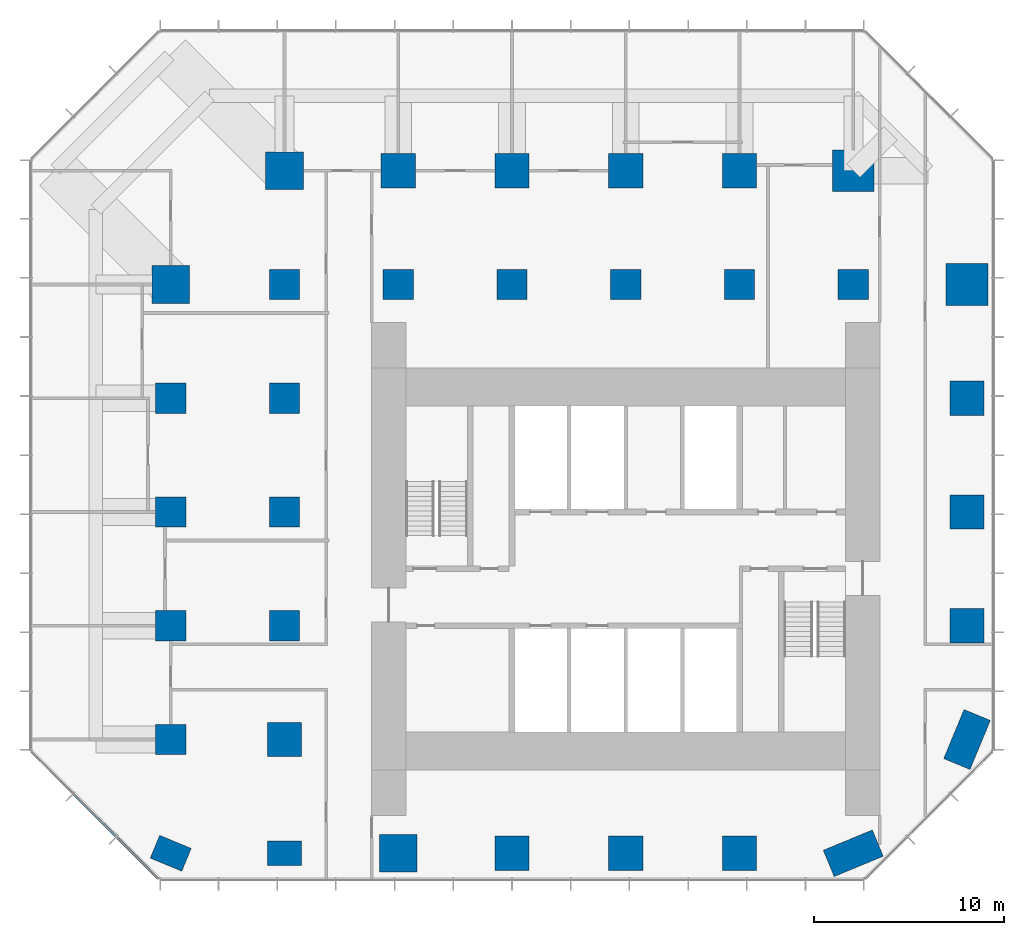
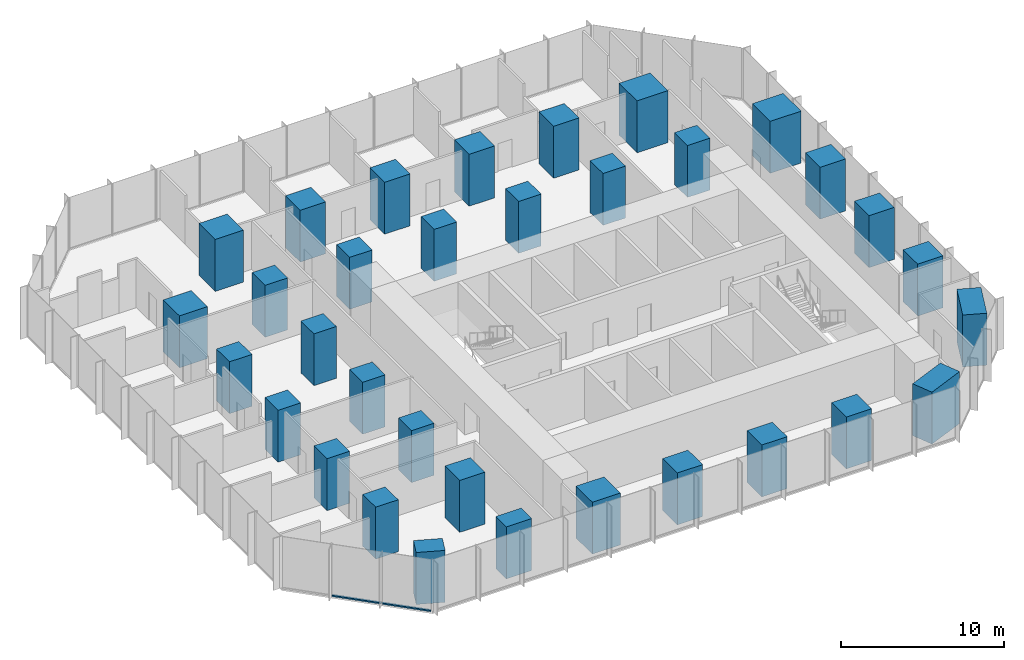
# One storey, part 1 of 11: 33 columns, 2 members, 1 element without a shape of its own.
"""IFC4 building model written with IfcOpenShell, lengths in metres."""

from ifc_helpers import new_model, si_unit, direction, frame, origin, origin_2d, place, context, subcontext, project, spatial, rectangle, extrude, material, layer, layer_set, material_profile, profile_set, type_object, element, aggregate, save


model = new_model("IFC4")

# Units and contexts
model_context = context("Model", 3, precision=1e-05, world=origin(), true_north=direction((0.0, 1.0)))
body_context = subcontext(model_context, "Body", "Model", "MODEL_VIEW")
ifc_project = project(units=[si_unit("LENGTHUNIT", "METRE"), si_unit("AREAUNIT", "SQUARE_METRE"), si_unit("VOLUMEUNIT", "CUBIC_METRE"), si_unit("PLANEANGLEUNIT", "RADIAN"), si_unit("MASSUNIT", "GRAM", prefix="KILO")], contexts=[model_context])

# Site, building, storey
site_placement = place(None, origin())
site = spatial("IfcSite", under=ifc_project, at=site_placement, CompositionType="ELEMENT")
building_placement = place(site_placement, origin())
building = spatial("IfcBuilding", under=site, at=building_placement, Name="Highveld Stack Headquarters", CompositionType="ELEMENT")
storey_placement = place(building_placement, frame((0.0, 0.0, 97.699951171875)))
storey = spatial("IfcBuildingStorey", under=building, at=storey_placement, Name="L23", CompositionType="ELEMENT", Elevation=97.699951171875)

# Columns
ifc_material_1 = material(Name="Concrete C60/75", Category="concrete")
ifc_material_profile_1 = material_profile(ifc_material_1, rectangle(XDim=1.60009765625, YDim=1.60009765625, at=origin_2d()), Name="RC 1600x1600")
ifc_profile_set_1 = profile_set([ifc_material_profile_1], Name="Concrete C60/75")
column_type_1 = type_object("IfcColumnType", Name="COLUMN RC 1600x1600 C60/75", PredefinedType="COLUMN", material=ifc_profile_set_1)
for number, where, z_axis, x_axis, name in (
    (1, (-18.0, -6.0, 0.0), (0.0, 0.0, 1.0), (1.0, 0.0, 0.0), "Column 3/D L23"),
    (2, (-18.0, 0.0, 0.0), (0.0, 0.0, 1.0), (1.0, 0.0, 0.0), "Column 3/E L23"),
    (3, (-18.0, 6.0, 0.0), (0.0, 0.0, 1.0), (1.0, 0.0, 0.0), "Column 3/F L23"),
    (4, (-18.0, 12.0, 0.0), (0.0, 0.0, 1.0), (1.0, 0.0, 0.0), "Column 3/G L23"),
    (5, (-12.0, 0.0, 0.0), (0.0, 0.0, 1.0), (1.0, 0.0, 0.0), "Column 4/E L23"),
    (6, (-12.0, 6.0, 0.0), (0.0, 0.0, 1.0), (1.0, 0.0, 0.0), "Column 4/F L23"),
    (7, (-12.0, 12.0, 0.0), (0.0, 0.0, 1.0), (1.0, 0.0, 0.0), "Column 4/G L23"),
    (8, (-12.0, 18.0, 0.0), (0.0, 0.0, 1.0), (1.0, 0.0, 0.0), "Column 4/H L23"),
    (9, (-6.0, 18.0, 0.0), (0.0, 0.0, 1.0), (1.0, 0.0, 0.0), "Column 5/H L23"),
    (10, (0.0, 18.0, 0.0), (0.0, 0.0, 1.0), (1.0, 0.0, 0.0), "Column 6/H L23"),
    (11, (6.0, 18.0, 0.0), (0.0, 0.0, 1.0), (1.0, 0.0, 0.0), "Column 7/H L23"),
    (12, (12.0, 18.0, 0.0), (0.0, 0.0, 1.0), (1.0, 0.0, 0.0), "Column 8/H L23"),
    (13, (18.0, 18.0, 0.0), (0.0, 0.0, 1.0), (1.0, 0.0, 0.0), "Column 9/H L23"),
):
    element("IfcColumn", number, at=place(storey_placement, frame(where, z_axis=z_axis, x_axis=x_axis)), inside=storey, type_object=column_type_1, Name=name, PredefinedType="COLUMN", context=body_context, shape_type="SweptSolid", body=[
        extrude(rectangle(XDim=1.60009765625, YDim=1.60009765625, at=origin_2d()), origin(), (0.0, 0.0, 1.0), 3.900146484375),
    ])
ifc_material_2 = material(Name="Concrete C60/75", Category="concrete")
ifc_material_profile_2 = material_profile(ifc_material_2, rectangle(XDim=1.800048828125, YDim=1.300048828125, at=origin_2d()), Name="RC 1800x1300")
ifc_profile_set_2 = profile_set([ifc_material_profile_2], Name="Concrete C60/75")
column_type_2 = type_object("IfcColumnType", Name="COLUMN RC 1800x1300 C60/75", PredefinedType="COLUMN", material=ifc_profile_set_2)
for number, where, z_axis, x_axis, name in (
    (14, (-18.0, -12.0, 0.0), (0.0, 0.0, 1.0), (-0.923879532511, 0.382683432365, 0.0), "Column 3/C L23"),
    (15, (-12.0, -12.0, 0.0), (0.0, 0.0, 1.0), (1.0, 0.0, 0.0), "Column 4/C L23"),
):
    element("IfcColumn", number, at=place(storey_placement, frame(where, z_axis=z_axis, x_axis=x_axis)), inside=storey, type_object=column_type_2, Name=name, PredefinedType="COLUMN", context=body_context, shape_type="SweptSolid", body=[
        extrude(rectangle(XDim=1.800048828125, YDim=1.300048828125, at=origin_2d()), origin(), (0.0, 0.0, 1.0), 3.900146484375),
    ])
ifc_material_3 = material(Name="Concrete C60/75", Category="concrete")
ifc_material_profile_3 = material_profile(ifc_material_3, rectangle(XDim=1.800048828125, YDim=1.800048828125, at=origin_2d()), Name="RC 1800x1800")
ifc_profile_set_3 = profile_set([ifc_material_profile_3], Name="Concrete C60/75")
column_type_3 = type_object("IfcColumnType", Name="COLUMN RC 1800x1800 C60/75", PredefinedType="COLUMN", material=ifc_profile_set_3)
for number, where, z_axis, x_axis, name in (
    (16, (-12.0, -6.0, 0.0), (0.0, 0.0, 1.0), (1.0, 0.0, 0.0), "Column 4/D L23"),
    (17, (-6.0, 24.0, 0.0), (0.0, 0.0, 1.0), (1.0, 0.0, 0.0), "Column 5/J L23"),
    (18, (0.0, -12.0, 0.0), (0.0, 0.0, 1.0), (1.0, 0.0, 0.0), "Column 6/C L23"),
    (19, (0.0, 24.0, 0.0), (0.0, 0.0, 1.0), (1.0, 0.0, 0.0), "Column 6/J L23"),
    (20, (6.0, -12.0, 0.0), (0.0, 0.0, 1.0), (1.0, 0.0, 0.0), "Column 7/C L23"),
    (21, (6.0, 24.0, 0.0), (0.0, 0.0, 1.0), (1.0, 0.0, 0.0), "Column 7/J L23"),
    (22, (12.0, -12.0, 0.0), (0.0, 0.0, 1.0), (1.0, 0.0, 0.0), "Column 8/C L23"),
    (23, (12.0, 24.0, 0.0), (0.0, 0.0, 1.0), (1.0, 0.0, 0.0), "Column 8/J L23"),
    (24, (24.0, 0.0, 0.0), (0.0, 0.0, 1.0), (1.0, 0.0, 0.0), "Column 10/E L23"),
    (25, (24.0, 6.0, 0.0), (0.0, 0.0, 1.0), (1.0, 0.0, 0.0), "Column 10/F L23"),
    (26, (24.0, 12.0, 0.0), (0.0, 0.0, 1.0), (1.0, 0.0, 0.0), "Column 10/G L23"),
):
    element("IfcColumn", number, at=place(storey_placement, frame(where, z_axis=z_axis, x_axis=x_axis)), inside=storey, type_object=column_type_3, Name=name, PredefinedType="COLUMN", context=body_context, shape_type="SweptSolid", body=[
        extrude(rectangle(XDim=1.800048828125, YDim=1.800048828125, at=origin_2d()), origin(), (0.0, 0.0, 1.0), 3.900146484375),
    ])
ifc_material_4 = material(Name="Concrete C60/75", Category="concrete")
ifc_material_profile_4 = material_profile(ifc_material_4, rectangle(XDim=2.0, YDim=2.0, at=origin_2d()), Name="RC 2000x2000")
ifc_profile_set_4 = profile_set([ifc_material_profile_4], Name="Concrete C60/75")
column_type_4 = type_object("IfcColumnType", Name="COLUMN RC 2000x2000 C60/75", PredefinedType="COLUMN", material=ifc_profile_set_4)
for number, where, z_axis, x_axis, name in (
    (27, (-18.0, 18.0, 0.0), (0.0, 0.0, 1.0), (1.0, 0.0, 0.0), "Column 3/H L23"),
    (28, (-12.0, 24.0, 0.0), (0.0, 0.0, 1.0), (1.0, 0.0, 0.0), "Column 4/J L23"),
    (29, (-6.0, -12.0, 0.0), (0.0, 0.0, 1.0), (1.0, 0.0, 0.0), "Column 5/C L23"),
):
    element("IfcColumn", number, at=place(storey_placement, frame(where, z_axis=z_axis, x_axis=x_axis)), inside=storey, type_object=column_type_4, Name=name, PredefinedType="COLUMN", context=body_context, shape_type="SweptSolid", body=[
        extrude(rectangle(XDim=2.0, YDim=2.0, at=origin_2d()), origin(), (0.0, 0.0, 1.0), 3.900146484375),
    ])
ifc_material_5 = material(Name="Concrete C60/75", Category="concrete")
ifc_material_profile_5 = material_profile(ifc_material_5, rectangle(XDim=2.199951171875, YDim=2.199951171875, at=origin_2d()), Name="RC 2200x2200")
ifc_profile_set_5 = profile_set([ifc_material_profile_5], Name="Concrete C60/75")
column_type_5 = type_object("IfcColumnType", Name="COLUMN RC 2200x2200 C60/75", PredefinedType="COLUMN", material=ifc_profile_set_5)
for number, where, z_axis, x_axis, name in (
    (30, (18.0, 24.0, 0.0), (0.0, 0.0, 1.0), (1.0, 0.0, 0.0), "Column 9/J L23"),
    (31, (24.0, 18.0, 0.0), (0.0, 0.0, 1.0), (1.0, 0.0, 0.0), "Column 10/H L23"),
):
    element("IfcColumn", number, at=place(storey_placement, frame(where, z_axis=z_axis, x_axis=x_axis)), inside=storey, type_object=column_type_5, Name=name, PredefinedType="COLUMN", context=body_context, shape_type="SweptSolid", body=[
        extrude(rectangle(XDim=2.199951171875, YDim=2.199951171875, at=origin_2d()), origin(), (0.0, 0.0, 1.0), 3.900146484375),
    ])
ifc_material_6 = material(Name="Concrete C60/75", Category="concrete")
ifc_material_profile_6 = material_profile(ifc_material_6, rectangle(XDim=2.800048828125, YDim=1.5, at=origin_2d()), Name="RC 2800x1500")
ifc_profile_set_6 = profile_set([ifc_material_profile_6], Name="Concrete C60/75")
column_type_6 = type_object("IfcColumnType", Name="COLUMN RC 2800x1500 C60/75", PredefinedType="COLUMN", material=ifc_profile_set_6)
for number, where, z_axis, x_axis, name in (
    (32, (18.0, -12.0, 0.0), (0.0, 0.0, 1.0), (-0.923879532511, -0.382683432365, 0.0), "Column 9/C L23"),
    (33, (24.0, -6.0, 0.0), (0.0, 0.0, 1.0), (-0.382683432365, -0.923879532511, 0.0), "Column 10/D L23"),
):
    element("IfcColumn", number, at=place(storey_placement, frame(where, z_axis=z_axis, x_axis=x_axis)), inside=storey, type_object=column_type_6, Name=name, PredefinedType="COLUMN", context=body_context, shape_type="SweptSolid", body=[
        extrude(rectangle(XDim=2.800048828125, YDim=1.5, at=origin_2d()), origin(), (0.0, 0.0, 1.0), 3.900146484375),
    ])

# Curtain wall, members
ifc_material_7 = material(Name="Aluminium bronze anodised", Category="aluminium")
ifc_layer = layer(ifc_material_7, 0.199951171875)
ifc_layer_set = layer_set([ifc_layer], Name="Aluminium bronze anodised")
curtain_wall_type = type_object("IfcCurtainWallType", Name="CW2 TOWER CHAMFER UNITISED CURTAIN WALL", PredefinedType="NOTDEFINED", material=ifc_layer_set)
curtain_wall_placement = place(storey_placement, origin())
curtain_wall = element("IfcCurtainWall", 34, at=curtain_wall_placement, inside=storey, type_object=curtain_wall_type, Name="Curtain wall CW2 L23 SW", PredefinedType="NOTDEFINED")
ifc_material_8 = material(Name="Aluminium bronze anodised", Category="aluminium")
ifc_material_profile_7 = material_profile(ifc_material_8, rectangle(XDim=0.14990234375, YDim=0.10009765625, at=origin_2d()), Name="CW2 TRANSOM 150x100")
ifc_profile_set_7 = profile_set([ifc_material_profile_7], Name="Aluminium bronze anodised")
member_type = type_object("IfcMemberType", Name="CW2 STACK TRANSOM 150x100", PredefinedType="USERDEFINED", material=ifc_profile_set_7)
member_1_placement = place(storey_placement, frame((-23.103759765625, -8.876220703125, 0.050048828125), z_axis=(0.707106781187, -0.707106781187, 0.0), x_axis=(0.707106781187, 0.707106781187, 0.0)))
member_1 = element("IfcMember", 35, at=member_1_placement, type_object=member_type, Name="CW2 transom L23 2.1", ObjectType="TRANSOM", PredefinedType="USERDEFINED", context=body_context, shape_type="SweptSolid", body=[
    extrude(rectangle(XDim=0.14990234375, YDim=0.10009765625, at=origin_2d()), origin(), (0.0, 0.0, 1.0), 3.150146484375),
])
member_2_placement = place(storey_placement, frame((-20.830322265625, -11.149658203125, 0.050048828125), z_axis=(0.707106781187, -0.707106781187, 0.0), x_axis=(0.707106781187, 0.707106781187, 0.0)))
member_2 = element("IfcMember", 36, at=member_2_placement, type_object=member_type, Name="CW2 transom L23 3.1", ObjectType="TRANSOM", PredefinedType="USERDEFINED", context=body_context, shape_type="SweptSolid", body=[
    extrude(rectangle(XDim=0.14990234375, YDim=0.10009765625, at=origin_2d()), origin(), (0.0, 0.0, 1.0), 3.08251953125),
])
aggregate(curtain_wall, [member_1, member_2])

save(model, "model.ifc")
